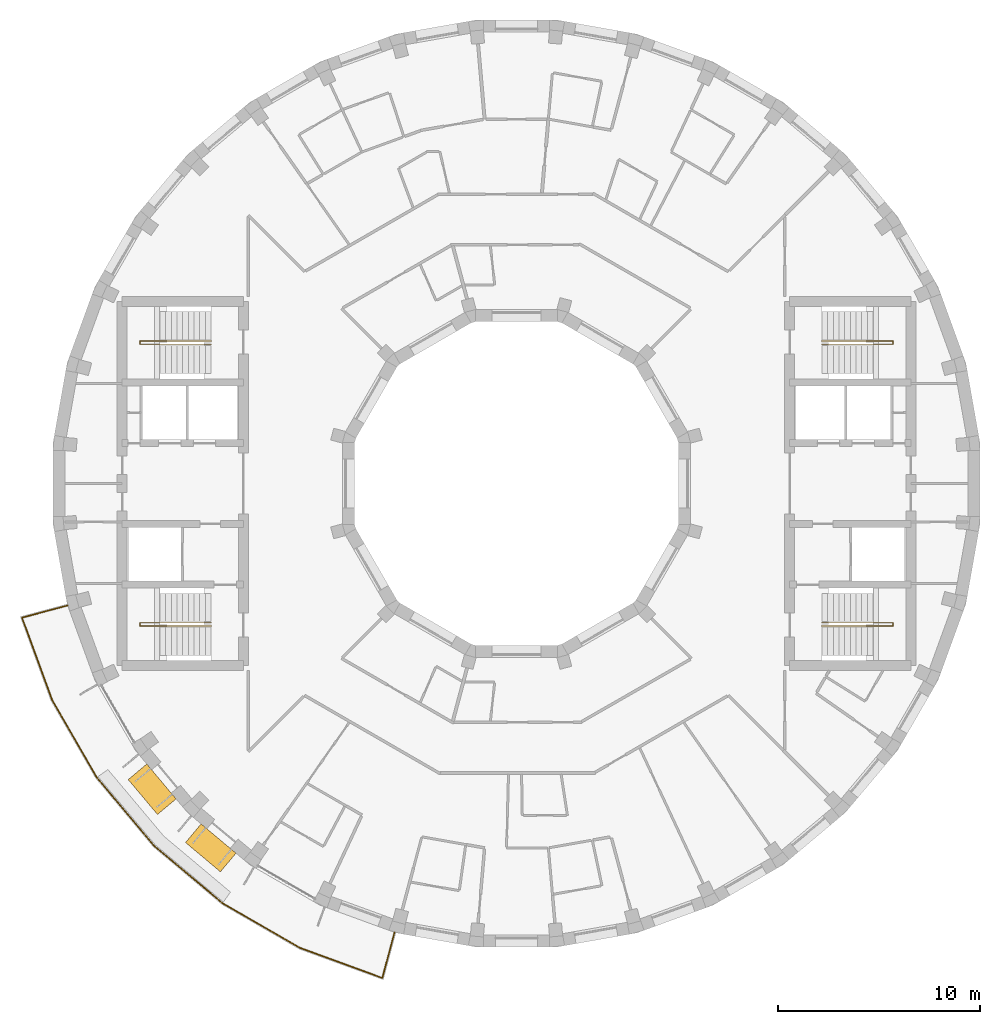
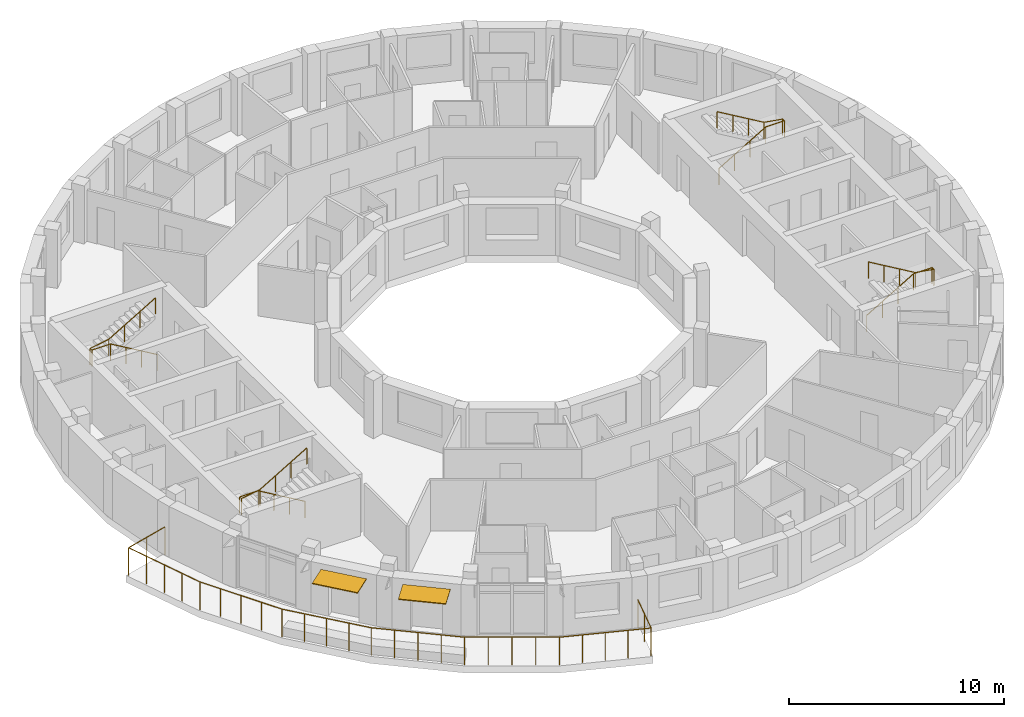
# One storey, part 12 of 12: 5 railings, 2 shading devices.
"""IFC4 building model written with IfcOpenShell, lengths in metres."""

from ifc_helpers import new_model, si_unit, direction, frame, origin, origin_2d, place, context, subcontext, project, spatial, rectangle, circle, extrude, material, layer, layer_set, type_object, element, save


model = new_model("IFC4")

# Units and contexts
model_context = context("Model", 3, precision=1e-05, world=origin(), true_north=direction((0.0, 1.0)))
body_context = subcontext(model_context, "Body", "Model", "MODEL_VIEW")
ifc_project = project(units=[si_unit("LENGTHUNIT", "METRE"), si_unit("AREAUNIT", "SQUARE_METRE"), si_unit("VOLUMEUNIT", "CUBIC_METRE"), si_unit("PLANEANGLEUNIT", "RADIAN"), si_unit("MASSUNIT", "GRAM", prefix="KILO")], contexts=[model_context])

# Site, building, storey
site_placement = place(None, origin())
site = spatial("IfcSite", under=ifc_project, at=site_placement, CompositionType="ELEMENT")
building_placement = place(site_placement, origin())
building = spatial("IfcBuilding", under=site, at=building_placement, Name="Saqina Gate Tower", CompositionType="ELEMENT")
storey_placement = place(building_placement, frame((0.0, 0.0, 259.39990234375)))
storey = spatial("IfcBuildingStorey", under=building, at=storey_placement, Name="L74", CompositionType="ELEMENT", Elevation=259.39990234375)

# Shading devices
ifc_material_1 = material(Name="Aluminium and fabric awning", Category="aluminium")
ifc_layer = layer(ifc_material_1, 0.050048828125)
ifc_layer_set = layer_set([ifc_layer], Name="AW-TERRACE")
shading_device_type = type_object("IfcShadingDeviceType", Name="AW-TERRACE", PredefinedType="AWNING", material=ifc_layer_set)
for number, where, z_axis, x_axis, name in (
    (1, (-18.01171875, -15.113525390625, 2.52490234375), (0.0, 0.0, 1.0), (0.642787609687, -0.766044443119, 0.0), "Terrace awning L74 facet 22"),
    (2, (-15.113525390625, -18.01171875, 2.52490234375), (0.0, 0.0, 1.0), (0.766044443119, -0.642787609687, 0.0), "Terrace awning L74 facet 23"),
):
    element("IfcShadingDevice", number, at=place(storey_placement, frame(where, z_axis=z_axis, x_axis=x_axis)), inside=storey, type_object=shading_device_type, Name=name, PredefinedType="AWNING", context=body_context, shape_type="SweptSolid", body=[
        extrude(rectangle(XDim=2.251708984375, YDim=1.199951171875, at=origin_2d()), origin(), (0.0, 0.0, 1.0), 0.050048828125),
    ])

# Railings
ifc_material_2 = material(Name="Stainless steel", Category="steel")
railing_type_1 = type_object("IfcRailingType", Name="RL-TERRACE", PredefinedType="GUARDRAIL", material=ifc_material_2)
railing_1_placement = place(storey_placement, frame((-22.1376953125, -6.0146484375, 0.0)))
element("IfcRailing", 3, at=railing_1_placement, inside=storey, type_object=railing_type_1, Name="Terrace guard L74", PredefinedType="GUARDRAIL", context=body_context, shape_type="SweptSolid", body=[
    extrude(circle(Radius=0.02392578125, at=origin_2d()), frame((0.0, 0.0, 1.576171875), z_axis=(-0.965935734769, -0.25878206332, 0.0), x_axis=(0.25878206332, -0.965935734769, 0.0)), (0.0, 0.0, 1.0), 2.388671875),
    extrude(circle(Radius=0.02392578125, at=origin_2d()), frame((-2.307373046875, -0.6181640625, 1.576171875), z_axis=(0.343514905065, -0.939147224879, 0.0), x_axis=(0.939147224879, 0.343514905065, 0.0)), (0.0, 0.0, 1.0), 4.33544921875),
    extrude(circle(Radius=0.02392578125, at=origin_2d()), frame((-0.818115234375, -4.689697265625, 1.576171875), z_axis=(0.49998092645, -0.866036415623, 0.0), x_axis=(0.866036415623, 0.49998092645, 0.0)), (0.0, 0.0, 1.0), 4.415283203125),
    extrude(circle(Radius=0.02392578125, at=origin_2d()), frame((1.389404296875, -8.513427734375, 1.576171875), z_axis=(0.642818527017, -0.766018499335, 0.0), x_axis=(0.766018499335, 0.642818527017, 0.0)), (0.0, 0.0, 1.0), 4.4150390625),
    extrude(circle(Radius=0.02392578125, at=origin_2d()), frame((4.2275390625, -11.8955078125, 1.576171875), z_axis=(0.766018499335, -0.642818527017, 0.0), x_axis=(0.642818527017, 0.766018499335, 0.0)), (0.0, 0.0, 1.0), 4.4150390625),
    extrude(circle(Radius=0.02392578125, at=origin_2d()), frame((7.609619140625, -14.733642578125, 1.576171875), z_axis=(0.866036415623, -0.49998092645, 0.0), x_axis=(0.49998092645, 0.866036415623, 0.0)), (0.0, 0.0, 1.0), 4.415283203125),
    extrude(circle(Radius=0.02392578125, at=origin_2d()), frame((11.433349609375, -16.941162109375, 1.576171875), z_axis=(0.939147224879, -0.343514905065, 0.0), x_axis=(0.343514905065, 0.939147224879, 0.0)), (0.0, 0.0, 1.0), 4.33544921875),
    extrude(circle(Radius=0.02392578125, at=origin_2d()), frame((15.5048828125, -18.430419921875, 1.576171875), z_axis=(0.25878206332, 0.965935734769, 0.0), x_axis=(-0.965935734769, 0.25878206332, 0.0)), (0.0, 0.0, 1.0), 2.388671875),
    extrude(circle(Radius=0.02099609375, at=origin_2d()), origin(), (0.0, 0.0, 1.0), 1.552001953125),
    extrude(circle(Radius=0.02099609375, at=origin_2d()), frame((-1.15380859375, -0.30908203125, 0.0)), (0.0, 0.0, 1.0), 1.552001953125),
    extrude(circle(Radius=0.02099609375, at=origin_2d()), frame((-2.307373046875, -0.6181640625, 0.0)), (0.0, 0.0, 1.0), 1.552001953125),
    extrude(circle(Radius=0.02099609375, at=origin_2d()), frame((-1.93505859375, -1.635986328125, 0.0)), (0.0, 0.0, 1.0), 1.552001953125),
    extrude(circle(Radius=0.02099609375, at=origin_2d()), frame((-1.562744140625, -2.65380859375, 0.0)), (0.0, 0.0, 1.0), 1.552001953125),
    extrude(circle(Radius=0.02099609375, at=origin_2d()), frame((-1.1904296875, -3.671875, 0.0)), (0.0, 0.0, 1.0), 1.552001953125),
    extrude(circle(Radius=0.02099609375, at=origin_2d()), frame((-0.818115234375, -4.689697265625, 0.0)), (0.0, 0.0, 1.0), 1.552001953125),
    extrude(circle(Radius=0.02099609375, at=origin_2d()), frame((-0.26611328125, -5.6455078125, 0.0)), (0.0, 0.0, 1.0), 1.552001953125),
    extrude(circle(Radius=0.02099609375, at=origin_2d()), frame((0.28564453125, -6.6015625, 0.0)), (0.0, 0.0, 1.0), 1.552001953125),
    extrude(circle(Radius=0.02099609375, at=origin_2d()), frame((0.83740234375, -7.5576171875, 0.0)), (0.0, 0.0, 1.0), 1.552001953125),
    extrude(circle(Radius=0.02099609375, at=origin_2d()), frame((1.389404296875, -8.513427734375, 0.0)), (0.0, 0.0, 1.0), 1.552001953125),
    extrude(circle(Radius=0.02099609375, at=origin_2d()), frame((2.098876953125, -9.35888671875, 0.0)), (0.0, 0.0, 1.0), 1.552001953125),
    extrude(circle(Radius=0.02099609375, at=origin_2d()), frame((2.80859375, -10.20458984375, 0.0)), (0.0, 0.0, 1.0), 1.552001953125),
    extrude(circle(Radius=0.02099609375, at=origin_2d()), frame((3.51806640625, -11.050048828125, 0.0)), (0.0, 0.0, 1.0), 1.552001953125),
    extrude(circle(Radius=0.02099609375, at=origin_2d()), frame((4.2275390625, -11.8955078125, 0.0)), (0.0, 0.0, 1.0), 1.552001953125),
    extrude(circle(Radius=0.02099609375, at=origin_2d()), frame((5.072998046875, -12.60498046875, 0.0)), (0.0, 0.0, 1.0), 1.552001953125),
    extrude(circle(Radius=0.02099609375, at=origin_2d()), frame((5.91845703125, -13.314453125, 0.0)), (0.0, 0.0, 1.0), 1.552001953125),
    extrude(circle(Radius=0.02099609375, at=origin_2d()), frame((6.76416015625, -14.024169921875, 0.0)), (0.0, 0.0, 1.0), 1.552001953125),
    extrude(circle(Radius=0.02099609375, at=origin_2d()), frame((7.609619140625, -14.733642578125, 0.0)), (0.0, 0.0, 1.0), 1.552001953125),
    extrude(circle(Radius=0.02099609375, at=origin_2d()), frame((8.5654296875, -15.28564453125, 0.0)), (0.0, 0.0, 1.0), 1.552001953125),
    extrude(circle(Radius=0.02099609375, at=origin_2d()), frame((9.521484375, -15.83740234375, 0.0)), (0.0, 0.0, 1.0), 1.552001953125),
    extrude(circle(Radius=0.02099609375, at=origin_2d()), frame((10.4775390625, -16.38916015625, 0.0)), (0.0, 0.0, 1.0), 1.552001953125),
    extrude(circle(Radius=0.02099609375, at=origin_2d()), frame((11.433349609375, -16.941162109375, 0.0)), (0.0, 0.0, 1.0), 1.552001953125),
    extrude(circle(Radius=0.02099609375, at=origin_2d()), frame((12.451171875, -17.3134765625, 0.0)), (0.0, 0.0, 1.0), 1.552001953125),
    extrude(circle(Radius=0.02099609375, at=origin_2d()), frame((13.46923828125, -17.685791015625, 0.0)), (0.0, 0.0, 1.0), 1.552001953125),
    extrude(circle(Radius=0.02099609375, at=origin_2d()), frame((14.487060546875, -18.05810546875, 0.0)), (0.0, 0.0, 1.0), 1.552001953125),
    extrude(circle(Radius=0.02099609375, at=origin_2d()), frame((15.5048828125, -18.430419921875, 0.0)), (0.0, 0.0, 1.0), 1.552001953125),
    extrude(circle(Radius=0.02099609375, at=origin_2d()), frame((15.81396484375, -17.27685546875, 0.0)), (0.0, 0.0, 1.0), 1.552001953125),
    extrude(circle(Radius=0.02099609375, at=origin_2d()), frame((16.123046875, -16.123046875, 0.0)), (0.0, 0.0, 1.0), 1.552001953125),
])
ifc_material_3 = material(Name="Stainless steel", Category="steel")
railing_type_2 = type_object("IfcRailingType", Name="STAIR HANDRAIL", PredefinedType="HANDRAIL", material=ifc_material_3)
railing_2_placement = place(storey_placement, frame((15.10009765625, 6.88330078125, 0.1650390625)))
element("IfcRailing", 4, at=railing_2_placement, inside=storey, type_object=railing_type_2, Name="EXIT STAIR 1 HANDRAIL", PredefinedType="HANDRAIL", context=body_context, shape_type="SweptSolid", body=[
    extrude(circle(Radius=0.02392578125, at=origin_2d()), frame((0.0, 0.0, 0.92578125), z_axis=(0.86152411907, 0.0, 0.507716645641), x_axis=(0.0, 1.0, 0.0)), (0.0, 0.0, 1.0), 2.925048828125),
    extrude(circle(Radius=0.02392578125, at=origin_2d()), frame((2.52001953125, 0.0, 2.4111328125), z_axis=(1.0, 0.0, 0.0), x_axis=(0.0, 1.0, 0.0)), (0.0, 0.0, 1.0), 1.0),
    extrude(circle(Radius=0.02392578125, at=origin_2d()), frame((3.52001953125, 0.0, 2.4111328125), z_axis=(0.0, 1.0, 0.0), x_axis=(-1.0, 0.0, 0.0)), (0.0, 0.0, 1.0), 0.158447265625),
    extrude(circle(Radius=0.02392578125, at=origin_2d()), frame((3.52001953125, 0.158447265625, 2.4111328125), z_axis=(-0.98665309941, 0.0, 0.162836302539), x_axis=(0.0, -1.0, 0.0)), (0.0, 0.0, 1.0), 1.013427734375),
    extrude(circle(Radius=0.02392578125, at=origin_2d()), frame((2.52001953125, 0.158447265625, 2.576171875), z_axis=(-0.861560626758, 0.0, 0.507654692109), x_axis=(0.0, -1.0, 0.0)), (0.0, 0.0, 1.0), 2.925048828125),
    extrude(circle(Radius=0.02099609375, at=origin_2d()), origin(), (0.0, 0.0, 1.0), 0.90185546875),
    extrude(circle(Radius=0.02099609375, at=origin_2d()), frame((0.840087890625, 0.0, 0.4951171875)), (0.0, 0.0, 1.0), 0.90185546875),
    extrude(circle(Radius=0.02099609375, at=origin_2d()), frame((1.679931640625, 0.0, 0.989990234375)), (0.0, 0.0, 1.0), 0.90185546875),
    extrude(circle(Radius=0.02099609375, at=origin_2d()), frame((2.52001953125, 0.0, 1.485107421875)), (0.0, 0.0, 1.0), 0.90185546875),
    extrude(circle(Radius=0.02099609375, at=origin_2d()), frame((3.52001953125, 0.0, 1.485107421875)), (0.0, 0.0, 1.0), 0.90185546875),
    extrude(circle(Radius=0.02099609375, at=origin_2d()), frame((3.52001953125, 0.158447265625, 1.485107421875)), (0.0, 0.0, 1.0), 0.90185546875),
    extrude(circle(Radius=0.02099609375, at=origin_2d()), frame((2.52001953125, 0.158447265625, 1.650146484375)), (0.0, 0.0, 1.0), 0.90185546875),
    extrude(circle(Radius=0.02099609375, at=origin_2d()), frame((1.679931640625, 0.158447265625, 2.14501953125)), (0.0, 0.0, 1.0), 0.90185546875),
    extrude(circle(Radius=0.02099609375, at=origin_2d()), frame((0.840087890625, 0.158447265625, 2.64013671875)), (0.0, 0.0, 1.0), 0.90185546875),
    extrude(circle(Radius=0.02099609375, at=origin_2d()), frame((0.0, 0.158447265625, 3.135009765625)), (0.0, 0.0, 1.0), 0.90185546875),
])
railing_3_placement = place(storey_placement, frame((15.10009765625, -6.88330078125, 0.1650390625)))
element("IfcRailing", 5, at=railing_3_placement, inside=storey, type_object=railing_type_2, Name="EXIT STAIR 2 HANDRAIL", PredefinedType="HANDRAIL", context=body_context, shape_type="SweptSolid", body=[
    extrude(circle(Radius=0.02392578125, at=origin_2d()), frame((0.0, 0.0, 0.92578125), z_axis=(0.86152411907, 0.0, 0.507716645641), x_axis=(0.0, 1.0, 0.0)), (0.0, 0.0, 1.0), 2.925048828125),
    extrude(circle(Radius=0.02392578125, at=origin_2d()), frame((2.52001953125, 0.0, 2.4111328125), z_axis=(1.0, 0.0, 0.0), x_axis=(0.0, 1.0, 0.0)), (0.0, 0.0, 1.0), 1.0),
    extrude(circle(Radius=0.02392578125, at=origin_2d()), frame((3.52001953125, 0.0, 2.4111328125), z_axis=(0.0, -1.0, 0.0), x_axis=(1.0, 0.0, 0.0)), (0.0, 0.0, 1.0), 0.158447265625),
    extrude(circle(Radius=0.02392578125, at=origin_2d()), frame((3.52001953125, -0.158447265625, 2.4111328125), z_axis=(-0.98665309941, 0.0, 0.162836302539), x_axis=(0.0, -1.0, 0.0)), (0.0, 0.0, 1.0), 1.013427734375),
    extrude(circle(Radius=0.02392578125, at=origin_2d()), frame((2.52001953125, -0.158447265625, 2.576171875), z_axis=(-0.861560626758, 0.0, 0.507654692109), x_axis=(0.0, -1.0, 0.0)), (0.0, 0.0, 1.0), 2.925048828125),
    extrude(circle(Radius=0.02099609375, at=origin_2d()), origin(), (0.0, 0.0, 1.0), 0.90185546875),
    extrude(circle(Radius=0.02099609375, at=origin_2d()), frame((0.840087890625, 0.0, 0.4951171875)), (0.0, 0.0, 1.0), 0.90185546875),
    extrude(circle(Radius=0.02099609375, at=origin_2d()), frame((1.679931640625, 0.0, 0.989990234375)), (0.0, 0.0, 1.0), 0.90185546875),
    extrude(circle(Radius=0.02099609375, at=origin_2d()), frame((2.52001953125, 0.0, 1.485107421875)), (0.0, 0.0, 1.0), 0.90185546875),
    extrude(circle(Radius=0.02099609375, at=origin_2d()), frame((3.52001953125, 0.0, 1.485107421875)), (0.0, 0.0, 1.0), 0.90185546875),
    extrude(circle(Radius=0.02099609375, at=origin_2d()), frame((3.52001953125, -0.158447265625, 1.485107421875)), (0.0, 0.0, 1.0), 0.90185546875),
    extrude(circle(Radius=0.02099609375, at=origin_2d()), frame((2.52001953125, -0.158447265625, 1.650146484375)), (0.0, 0.0, 1.0), 0.90185546875),
    extrude(circle(Radius=0.02099609375, at=origin_2d()), frame((1.679931640625, -0.158447265625, 2.14501953125)), (0.0, 0.0, 1.0), 0.90185546875),
    extrude(circle(Radius=0.02099609375, at=origin_2d()), frame((0.840087890625, -0.158447265625, 2.64013671875)), (0.0, 0.0, 1.0), 0.90185546875),
    extrude(circle(Radius=0.02099609375, at=origin_2d()), frame((0.0, -0.158447265625, 3.135009765625)), (0.0, 0.0, 1.0), 0.90185546875),
])
railing_4_placement = place(storey_placement, frame((-15.10009765625, 6.88330078125, 0.1650390625)))
element("IfcRailing", 6, at=railing_4_placement, inside=storey, type_object=railing_type_2, Name="EXIT STAIR 3 HANDRAIL", PredefinedType="HANDRAIL", context=body_context, shape_type="SweptSolid", body=[
    extrude(circle(Radius=0.02392578125, at=origin_2d()), frame((0.0, 0.0, 0.92578125), z_axis=(-0.86152411907, 0.0, 0.507716645641), x_axis=(0.0, -1.0, 0.0)), (0.0, 0.0, 1.0), 2.925048828125),
    extrude(circle(Radius=0.02392578125, at=origin_2d()), frame((-2.52001953125, 0.0, 2.4111328125), z_axis=(-1.0, 0.0, 0.0), x_axis=(0.0, -1.0, 0.0)), (0.0, 0.0, 1.0), 1.0),
    extrude(circle(Radius=0.02392578125, at=origin_2d()), frame((-3.52001953125, 0.0, 2.4111328125), z_axis=(0.0, 1.0, 0.0), x_axis=(-1.0, 0.0, 0.0)), (0.0, 0.0, 1.0), 0.158447265625),
    extrude(circle(Radius=0.02392578125, at=origin_2d()), frame((-3.52001953125, 0.158447265625, 2.4111328125), z_axis=(0.98665309941, 0.0, 0.162836302539), x_axis=(0.0, 1.0, 0.0)), (0.0, 0.0, 1.0), 1.013427734375),
    extrude(circle(Radius=0.02392578125, at=origin_2d()), frame((-2.52001953125, 0.158447265625, 2.576171875), z_axis=(0.861560626758, 0.0, 0.507654692109), x_axis=(0.0, 1.0, 0.0)), (0.0, 0.0, 1.0), 2.925048828125),
    extrude(circle(Radius=0.02099609375, at=origin_2d()), origin(), (0.0, 0.0, 1.0), 0.90185546875),
    extrude(circle(Radius=0.02099609375, at=origin_2d()), frame((-0.840087890625, 0.0, 0.4951171875)), (0.0, 0.0, 1.0), 0.90185546875),
    extrude(circle(Radius=0.02099609375, at=origin_2d()), frame((-1.679931640625, 0.0, 0.989990234375)), (0.0, 0.0, 1.0), 0.90185546875),
    extrude(circle(Radius=0.02099609375, at=origin_2d()), frame((-2.52001953125, 0.0, 1.485107421875)), (0.0, 0.0, 1.0), 0.90185546875),
    extrude(circle(Radius=0.02099609375, at=origin_2d()), frame((-3.52001953125, 0.0, 1.485107421875)), (0.0, 0.0, 1.0), 0.90185546875),
    extrude(circle(Radius=0.02099609375, at=origin_2d()), frame((-3.52001953125, 0.158447265625, 1.485107421875)), (0.0, 0.0, 1.0), 0.90185546875),
    extrude(circle(Radius=0.02099609375, at=origin_2d()), frame((-2.52001953125, 0.158447265625, 1.650146484375)), (0.0, 0.0, 1.0), 0.90185546875),
    extrude(circle(Radius=0.02099609375, at=origin_2d()), frame((-1.679931640625, 0.158447265625, 2.14501953125)), (0.0, 0.0, 1.0), 0.90185546875),
    extrude(circle(Radius=0.02099609375, at=origin_2d()), frame((-0.840087890625, 0.158447265625, 2.64013671875)), (0.0, 0.0, 1.0), 0.90185546875),
    extrude(circle(Radius=0.02099609375, at=origin_2d()), frame((0.0, 0.158447265625, 3.135009765625)), (0.0, 0.0, 1.0), 0.90185546875),
])
railing_5_placement = place(storey_placement, frame((-15.10009765625, -6.88330078125, 0.1650390625)))
element("IfcRailing", 7, at=railing_5_placement, inside=storey, type_object=railing_type_2, Name="EXIT STAIR 4 HANDRAIL", PredefinedType="HANDRAIL", context=body_context, shape_type="SweptSolid", body=[
    extrude(circle(Radius=0.02392578125, at=origin_2d()), frame((0.0, 0.0, 0.92578125), z_axis=(-0.86152411907, 0.0, 0.507716645641), x_axis=(0.0, -1.0, 0.0)), (0.0, 0.0, 1.0), 2.925048828125),
    extrude(circle(Radius=0.02392578125, at=origin_2d()), frame((-2.52001953125, 0.0, 2.4111328125), z_axis=(-1.0, 0.0, 0.0), x_axis=(0.0, -1.0, 0.0)), (0.0, 0.0, 1.0), 1.0),
    extrude(circle(Radius=0.02392578125, at=origin_2d()), frame((-3.52001953125, 0.0, 2.4111328125), z_axis=(0.0, -1.0, 0.0), x_axis=(1.0, 0.0, 0.0)), (0.0, 0.0, 1.0), 0.158447265625),
    extrude(circle(Radius=0.02392578125, at=origin_2d()), frame((-3.52001953125, -0.158447265625, 2.4111328125), z_axis=(0.98665309941, 0.0, 0.162836302539), x_axis=(0.0, 1.0, 0.0)), (0.0, 0.0, 1.0), 1.013427734375),
    extrude(circle(Radius=0.02392578125, at=origin_2d()), frame((-2.52001953125, -0.158447265625, 2.576171875), z_axis=(0.861560626758, 0.0, 0.507654692109), x_axis=(0.0, 1.0, 0.0)), (0.0, 0.0, 1.0), 2.925048828125),
    extrude(circle(Radius=0.02099609375, at=origin_2d()), origin(), (0.0, 0.0, 1.0), 0.90185546875),
    extrude(circle(Radius=0.02099609375, at=origin_2d()), frame((-0.840087890625, 0.0, 0.4951171875)), (0.0, 0.0, 1.0), 0.90185546875),
    extrude(circle(Radius=0.02099609375, at=origin_2d()), frame((-1.679931640625, 0.0, 0.989990234375)), (0.0, 0.0, 1.0), 0.90185546875),
    extrude(circle(Radius=0.02099609375, at=origin_2d()), frame((-2.52001953125, 0.0, 1.485107421875)), (0.0, 0.0, 1.0), 0.90185546875),
    extrude(circle(Radius=0.02099609375, at=origin_2d()), frame((-3.52001953125, 0.0, 1.485107421875)), (0.0, 0.0, 1.0), 0.90185546875),
    extrude(circle(Radius=0.02099609375, at=origin_2d()), frame((-3.52001953125, -0.158447265625, 1.485107421875)), (0.0, 0.0, 1.0), 0.90185546875),
    extrude(circle(Radius=0.02099609375, at=origin_2d()), frame((-2.52001953125, -0.158447265625, 1.650146484375)), (0.0, 0.0, 1.0), 0.90185546875),
    extrude(circle(Radius=0.02099609375, at=origin_2d()), frame((-1.679931640625, -0.158447265625, 2.14501953125)), (0.0, 0.0, 1.0), 0.90185546875),
    extrude(circle(Radius=0.02099609375, at=origin_2d()), frame((-0.840087890625, -0.158447265625, 2.64013671875)), (0.0, 0.0, 1.0), 0.90185546875),
    extrude(circle(Radius=0.02099609375, at=origin_2d()), frame((0.0, -0.158447265625, 3.135009765625)), (0.0, 0.0, 1.0), 0.90185546875),
])

save(model, "model.ifc")
